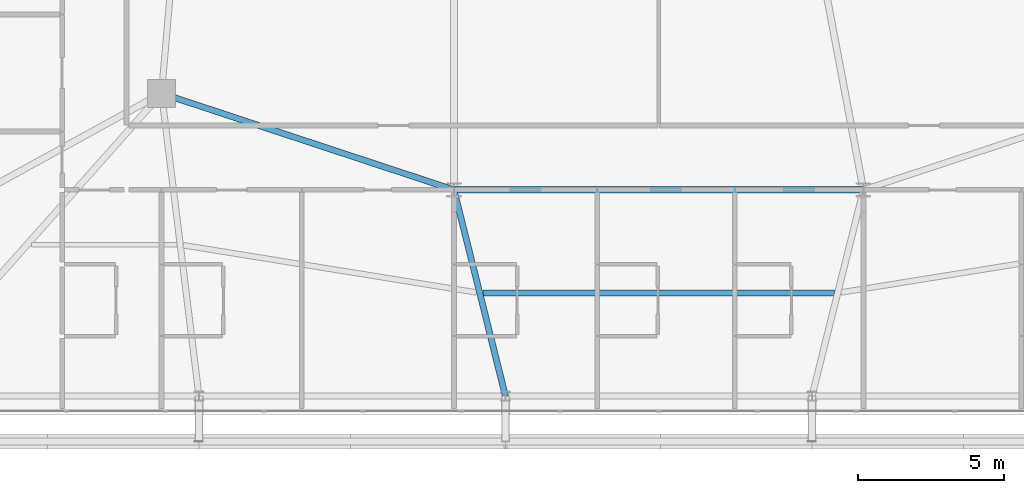
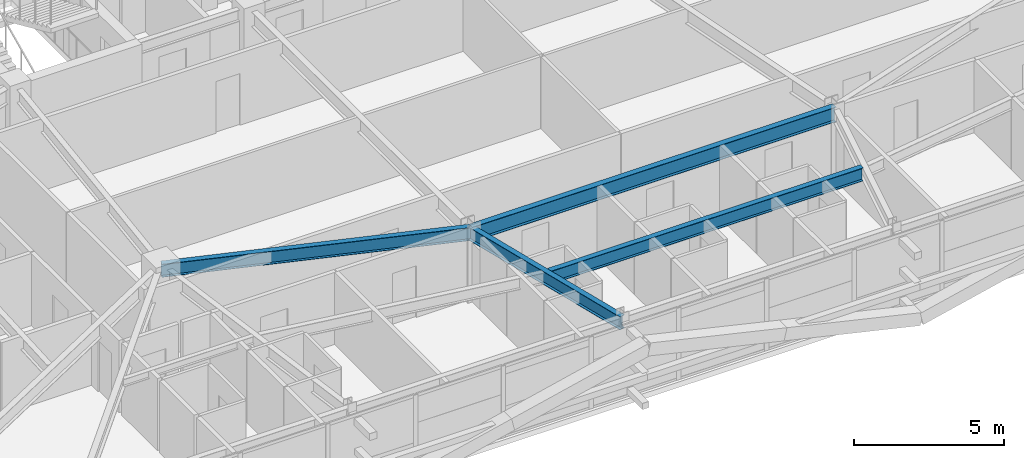
# One storey, part 13 of 59: 4 beams.
"""IFC4 building model written with IfcOpenShell, lengths in metres."""

from ifc_helpers import new_model, si_unit, direction, frame, origin, origin_2d, place, context, subcontext, project, spatial, i_section, extrude, source, transform, mapped, material, material_profile, profile_set, type_object, element, save


model = new_model("IFC4")

# Units and contexts
model_context = context("Model", 3, precision=1e-05, world=origin(), true_north=direction((0.0, 1.0)))
body_context = subcontext(model_context, "Body", "Model", "MODEL_VIEW")
ifc_project = project(units=[si_unit("LENGTHUNIT", "METRE"), si_unit("AREAUNIT", "SQUARE_METRE"), si_unit("VOLUMEUNIT", "CUBIC_METRE"), si_unit("PLANEANGLEUNIT", "RADIAN"), si_unit("MASSUNIT", "GRAM", prefix="KILO")], contexts=[model_context])

# Site, building, storey
site_placement = place(None, origin())
site = spatial("IfcSite", under=ifc_project, at=site_placement, CompositionType="ELEMENT")
building_placement = place(site_placement, origin())
building = spatial("IfcBuilding", under=site, at=building_placement, Name="Taldren Reach Tower", CompositionType="ELEMENT")
storey_placement = place(building_placement, frame((0.0, 0.0, 19.949951171875)))
storey = spatial("IfcBuildingStorey", under=building, at=storey_placement, Name="L05", CompositionType="ELEMENT", Elevation=19.949951171875)

# Beams
ifc_material = material(Name="Steel Gr 350 (350PLUS)", Category="steel")
ifc_material_profile_1 = material_profile(ifc_material, i_section(OverallWidth=0.208984375, OverallDepth=0.532958984375, WebThickness=0.01025390625, FlangeThickness=0.015625, at=origin_2d()), Name="530UB92.4")
ifc_profile_set_1 = profile_set([ifc_material_profile_1], Name="Steel Gr 350 (350PLUS)")
beam_type_1 = type_object("IfcBeamType", Name="BM-UB530A", PredefinedType="BEAM", material=ifc_profile_set_1)
shared_shape_1 = source(origin(), body_context, "Body", "SweptSolid", [
    extrude(i_section(OverallWidth=0.208984375, OverallDepth=0.532958984375, WebThickness=0.01025390625, FlangeThickness=0.015625, at=origin_2d()), origin(), (0.0, 0.0, 1.0), 10.530517578125),
])
beam_1_placement = place(storey_placement, frame((18.0, 12.5, 2.66357421875), z_axis=(0.949627269203, -0.313381635689, 0.0), x_axis=(0.313381635689, 0.949627269203, 0.0)))
element("IfcBeam", 1, at=beam_1_placement, inside=storey, type_object=beam_type_1, Name="Core-spine girder L05-SP10", PredefinedType="BEAM", context=body_context, shape_type="MappedRepresentation", body=[
    mapped(shared_shape_1, transform((0.0, 0.0, 0.0), scale=1.0)),
])
ifc_material_profile_2 = material_profile(ifc_material, i_section(OverallWidth=0.22802734375, OverallDepth=0.60205078125, WebThickness=0.010498046875, FlangeThickness=0.014892578125, at=origin_2d()), Name="610UB101")
ifc_profile_set_2 = profile_set([ifc_material_profile_2], Name="Steel Gr 350 (350PLUS)")
beam_type_2 = type_object("IfcBeamType", Name="BM-UB610B", PredefinedType="BEAM", material=ifc_profile_set_2)
shared_shape_2 = source(origin(), body_context, "Body", "SweptSolid", [
    extrude(i_section(OverallWidth=0.22802734375, OverallDepth=0.60205078125, WebThickness=0.010498046875, FlangeThickness=0.014892578125, at=origin_2d()), origin(), (0.0, 0.0, 1.0), 14.0),
])
beam_2_placement = place(storey_placement, frame((28.0, 9.199951171875, 2.629150390625), z_axis=(1.0, 0.0, 0.0), x_axis=(0.0, 1.0, 0.0)))
element("IfcBeam", 2, at=beam_2_placement, inside=storey, type_object=beam_type_2, Name="Core-spine girder L05-SP11", PredefinedType="BEAM", context=body_context, shape_type="MappedRepresentation", body=[
    mapped(shared_shape_2, transform((0.0, 0.0, 0.0), scale=1.0)),
])
shared_shape_3 = source(origin(), body_context, "Body", "SweptSolid", [
    extrude(i_section(OverallWidth=0.208984375, OverallDepth=0.532958984375, WebThickness=0.01025390625, FlangeThickness=0.015625, at=origin_2d()), origin(), (0.0, 0.0, 1.0), 7.266357421875),
])
beam_3_placement = place(storey_placement, frame((28.0, 9.199951171875, 2.66357421875), z_axis=(0.24221148493, -0.970223477642, 0.0), x_axis=(0.970223477642, 0.24221148493, 0.0)))
element("IfcBeam", 3, at=beam_3_placement, inside=storey, type_object=beam_type_1, Name="Primary floor girder B1-S3 L05", PredefinedType="BEAM", context=body_context, shape_type="MappedRepresentation", body=[
    mapped(shared_shape_3, transform((0.0, 0.0, 0.0), scale=1.0)),
])
shared_shape_4 = source(origin(), body_context, "Body", "SweptSolid", [
    extrude(i_section(OverallWidth=0.208984375, OverallDepth=0.532958984375, WebThickness=0.01025390625, FlangeThickness=0.015625, at=origin_2d()), origin(), (0.0, 0.0, 1.0), 12.0244140625),
])
beam_4_placement = place(storey_placement, frame((28.98779296875, 5.675048828125, 2.66357421875), z_axis=(1.0, 0.0, 0.0), x_axis=(0.0, 1.0, 0.0)))
element("IfcBeam", 4, at=beam_4_placement, inside=storey, type_object=beam_type_1, Name="Secondary floor beam B1 J3 L05", PredefinedType="BEAM", context=body_context, shape_type="MappedRepresentation", body=[
    mapped(shared_shape_4, transform((0.0, 0.0, 0.0), scale=1.0)),
])

save(model, "model.ifc")
